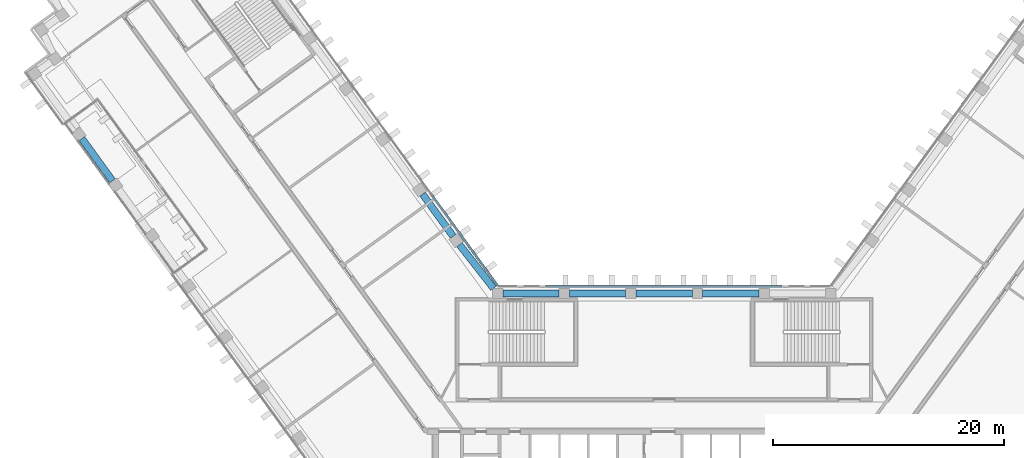
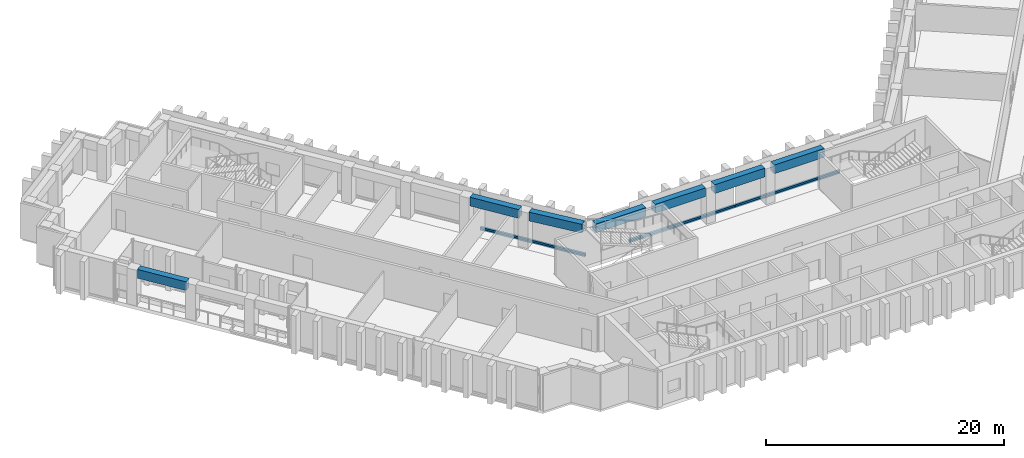
"""IFC4 building model written with IfcOpenShell, lengths in metres."""

from ifc_helpers import new_model, si_unit, direction, frame, origin, origin_2d, place, context, subcontext, project, spatial, rectangle, extrude, material, material_profile, profile_set, type_object, element, aggregate, save


model = new_model("IFC4")

# Units and contexts
model_context = context("Model", 3, precision=1e-05, world=origin(), true_north=direction((0.0, 1.0)))
body_context = subcontext(model_context, "Body", "Model", "MODEL_VIEW")
ifc_project = project(units=[si_unit("LENGTHUNIT", "METRE"), si_unit("AREAUNIT", "SQUARE_METRE"), si_unit("VOLUMEUNIT", "CUBIC_METRE"), si_unit("PLANEANGLEUNIT", "RADIAN"), si_unit("MASSUNIT", "GRAM", prefix="KILO")], contexts=[model_context])

# Site, building, storey
site_placement = place(None, origin())
site = spatial("IfcSite", under=ifc_project, at=site_placement, CompositionType="ELEMENT")
building_placement = place(site_placement, origin())
building = spatial("IfcBuilding", under=site, at=building_placement, Name="Quipu Civic Tower", CompositionType="ELEMENT")
storey_1_placement = place(building_placement, frame((0.0, 0.0, 43.0)))
storey_1 = spatial("IfcBuildingStorey", under=building, at=storey_1_placement, Name="L09", CompositionType="ELEMENT", Elevation=43.0)

# Beams
ifc_material_1 = material(Name="Concrete C50/60", Category="concrete")
ifc_material_profile_1 = material_profile(ifc_material_1, rectangle(XDim=0.60009765625, YDim=0.89990234375, at=origin_2d()), Name="RC600x900")
ifc_profile_set_1 = profile_set([ifc_material_profile_1], Name="Concrete C50/60")
beam_type = type_object("IfcBeamType", Name="Spandrel beam RC 600x900 C50/60", PredefinedType="SPANDREL", material=ifc_profile_set_1)
for number, where, z_axis, x_axis, name in (
    (1, (-18.238037109375, 15.43896484375, 3.199951171875), (-0.587716763865, 0.809066749701, 0.0), (-0.809066749701, -0.587716763865, 0.0), "Spandrel beam L09 W-IN-01 to W-IN-02"),
    (2, (-50.327880859375, 23.87939453125, 3.199951171875), (0.587778073121, -0.809022210299, 0.0), (0.809022210299, 0.587778073121, 0.0), "Spandrel beam L09 W-OUT-07 to W-OUT-06"),
):
    element("IfcBeam", number, at=place(storey_1_placement, frame(where, z_axis=z_axis, x_axis=x_axis)), inside=storey_1, type_object=beam_type, Name=name, PredefinedType="SPANDREL", context=body_context, shape_type="SweptSolid", body=[
        extrude(rectangle(XDim=0.60009765625, YDim=0.89990234375, at=origin_2d()), origin(), (0.0, 0.0, 1.0), 4.5),
    ])
for number, where, z_axis, x_axis, name in (
    (3, (8.18701171875, 10.5, 3.199951171875), (-1.0, 0.0, 0.0), (0.0, -1.0, 0.0), "Spandrel beam L09 FRONT-01 to FRONT-02"),
    (4, (2.428955078125, 10.5, 3.199951171875), (-1.0, 0.0, 0.0), (0.0, -1.0, 0.0), "Spandrel beam L09 FRONT-02 to FRONT-03"),
    (5, (-3.3291015625, 10.5, 3.199951171875), (-1.0, 0.0, 0.0), (0.0, -1.0, 0.0), "Spandrel beam L09 FRONT-03 to FRONT-04"),
):
    element("IfcBeam", number, at=place(storey_1_placement, frame(where, z_axis=z_axis, x_axis=x_axis)), inside=storey_1, type_object=beam_type, Name=name, PredefinedType="SPANDREL", context=body_context, shape_type="SweptSolid", body=[
        extrude(rectangle(XDim=0.60009765625, YDim=0.89990234375, at=origin_2d()), origin(), (0.0, 0.0, 1.0), 4.85791015625),
    ])
beam_1_placement = place(storey_1_placement, frame((-9.087158203125, 10.5, 3.199951171875), z_axis=(-1.0, 0.0, 0.0), x_axis=(0.0, -1.0, 0.0)))
element("IfcBeam", 6, at=beam_1_placement, inside=storey_1, type_object=beam_type, Name="Spandrel beam L09 FRONT-04 to J-Wi.0", PredefinedType="SPANDREL", context=body_context, shape_type="SweptSolid", body=[
    extrude(rectangle(XDim=0.60009765625, YDim=0.89990234375, at=origin_2d()), origin(), (0.0, 0.0, 1.0), 4.858154296875),
])
beam_2_placement = place(storey_1_placement, frame((-14.7470703125, 10.949951171875, 3.199951171875), z_axis=(-0.616123961998, 0.787649200756, 0.0), x_axis=(-0.787649200756, -0.616123961998, 0.0)))
element("IfcBeam", 7, at=beam_2_placement, inside=storey_1, type_object=beam_type, Name="Spandrel beam L09 J-Wi.0 to W-IN-01", PredefinedType="SPANDREL", context=body_context, shape_type="SweptSolid", body=[
    extrude(rectangle(XDim=0.60009765625, YDim=0.89990234375, at=origin_2d()), origin(), (0.0, 0.0, 1.0), 4.78662109375),
])

# Storey
storey_2_placement = place(building_placement, frame((0.0, 0.0, 35.0)))
storey_2 = spatial("IfcBuildingStorey", under=building, at=storey_2_placement, Name="L07", CompositionType="ELEMENT", Elevation=35.0)

# Curtain wall, members
ifc_material_2 = material(Name="Insulated glass unit", Category="glass")
curtain_wall_type = type_object("IfcCurtainWallType", Name="Office curtain wall CW1", PredefinedType="NOTDEFINED", material=ifc_material_2)
curtain_wall_1_placement = place(storey_2_placement, origin())
curtain_wall_1 = element("IfcCurtainWall", 8, at=curtain_wall_1_placement, inside=storey_2, type_object=curtain_wall_type, Name="Office curtain wall CW1 L06 run 29", PredefinedType="NOTDEFINED")
ifc_material_3 = material(Name="Anodised aluminium", Category="aluminium")
ifc_material_profile_2 = material_profile(ifc_material_3, rectangle(XDim=0.199951171875, YDim=0.159912109375, at=origin_2d()), Name="RECT 200x160")
ifc_profile_set_2 = profile_set([ifc_material_profile_2], Name="Anodised aluminium")
member_type = type_object("IfcMemberType", Name="Transom CW1", PredefinedType="USERDEFINED", material=ifc_profile_set_2)
member_1_placement = place(storey_1_placement, frame((10.18359375, 11.10009765625, 0.0), z_axis=(-1.0, 0.0, 0.0), x_axis=(0.0, -1.0, 0.0)))
member_1 = element("IfcMember", 9, at=member_1_placement, inside=storey_1, type_object=member_type, Name="CW1 transom 1.4", ObjectType="TRANSOM", PredefinedType="USERDEFINED", context=body_context, shape_type="SweptSolid", body=[
    extrude(rectangle(XDim=0.199951171875, YDim=0.159912109375, at=origin_2d()), origin(), (0.0, 0.0, 1.0), 10.1435546875),
])
member_2_placement = place(storey_1_placement, frame((-0.0400390625, 11.10009765625, 0.0), z_axis=(-1.0, 0.0, 0.0), x_axis=(0.0, -1.0, 0.0)))
member_2 = element("IfcMember", 10, at=member_2_placement, inside=storey_1, type_object=member_type, Name="CW1 transom 2.4", ObjectType="TRANSOM", PredefinedType="USERDEFINED", context=body_context, shape_type="SweptSolid", body=[
    extrude(rectangle(XDim=0.199951171875, YDim=0.159912109375, at=origin_2d()), origin(), (0.0, 0.0, 1.0), 10.1435546875),
])
aggregate(curtain_wall_1, [member_1, member_2])

# Curtain wall, member
curtain_wall_2_placement = place(storey_2_placement, origin())
curtain_wall_2 = element("IfcCurtainWall", 11, at=curtain_wall_2_placement, inside=storey_2, type_object=curtain_wall_type, Name="Office curtain wall CW1 L06 run 32", PredefinedType="NOTDEFINED")
member_3_placement = place(storey_1_placement, frame((-14.39111328125, 11.164794921875, 0.0), z_axis=(-0.58779220199, 0.809011945079, 0.0), x_axis=(-0.809011945079, -0.58779220199, 0.0)))
member_3 = element("IfcMember", 12, at=member_3_placement, inside=storey_1, type_object=member_type, Name="CW1 transom 1.4", ObjectType="TRANSOM", PredefinedType="USERDEFINED", context=body_context, shape_type="SweptSolid", body=[
    extrude(rectangle(XDim=0.199951171875, YDim=0.159912109375, at=origin_2d()), origin(), (0.0, 0.0, 1.0), 9.64111328125),
])
aggregate(curtain_wall_2, [member_3])

# Storey
storey_3_placement = place(building_placement, frame((0.0, 0.0, 47.0)))
storey_3 = spatial("IfcBuildingStorey", under=building, at=storey_3_placement, Name="L10", CompositionType="ELEMENT", Elevation=47.0)

# Curtain wall, members
curtain_wall_3_placement = place(storey_3_placement, origin())
curtain_wall_3 = element("IfcCurtainWall", 13, at=curtain_wall_3_placement, inside=storey_3, type_object=curtain_wall_type, Name="Office curtain wall CW1 L09 run 32", PredefinedType="NOTDEFINED")
member_4_placement = place(storey_1_placement, frame((10.18359375, 11.10009765625, 0.159912109375), z_axis=(-1.0, 0.0, 0.0), x_axis=(0.0, -1.0, 0.0)))
member_4 = element("IfcMember", 14, at=member_4_placement, inside=storey_1, type_object=member_type, Name="CW1 transom 1.1", ObjectType="TRANSOM", PredefinedType="USERDEFINED", context=body_context, shape_type="SweptSolid", body=[
    extrude(rectangle(XDim=0.199951171875, YDim=0.159912109375, at=origin_2d()), origin(), (0.0, 0.0, 1.0), 10.1435546875),
])
member_5_placement = place(storey_1_placement, frame((-0.0400390625, 11.10009765625, 0.159912109375), z_axis=(-1.0, 0.0, 0.0), x_axis=(0.0, -1.0, 0.0)))
member_5 = element("IfcMember", 15, at=member_5_placement, inside=storey_1, type_object=member_type, Name="CW1 transom 2.1", ObjectType="TRANSOM", PredefinedType="USERDEFINED", context=body_context, shape_type="SweptSolid", body=[
    extrude(rectangle(XDim=0.199951171875, YDim=0.159912109375, at=origin_2d()), origin(), (0.0, 0.0, 1.0), 10.1435546875),
])
aggregate(curtain_wall_3, [member_4, member_5])

# Curtain wall, member
curtain_wall_4_placement = place(storey_3_placement, origin())
curtain_wall_4 = element("IfcCurtainWall", 16, at=curtain_wall_4_placement, inside=storey_3, type_object=curtain_wall_type, Name="Office curtain wall CW1 L09 run 35", PredefinedType="NOTDEFINED")
member_6_placement = place(storey_1_placement, frame((-14.39111328125, 11.164794921875, 0.159912109375), z_axis=(-0.58779220199, 0.809011945079, 0.0), x_axis=(-0.809011945079, -0.58779220199, 0.0)))
member_6 = element("IfcMember", 17, at=member_6_placement, inside=storey_1, type_object=member_type, Name="CW1 transom 1.1", ObjectType="TRANSOM", PredefinedType="USERDEFINED", context=body_context, shape_type="SweptSolid", body=[
    extrude(rectangle(XDim=0.199951171875, YDim=0.159912109375, at=origin_2d()), origin(), (0.0, 0.0, 1.0), 9.64111328125),
])
aggregate(curtain_wall_4, [member_6])

save(model, "model.ifc")
